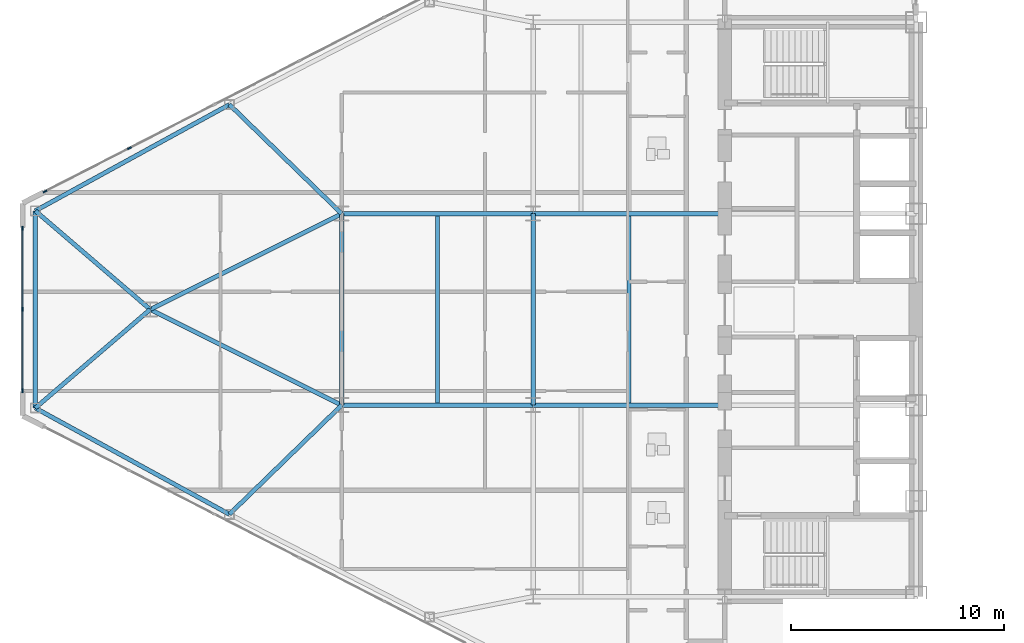
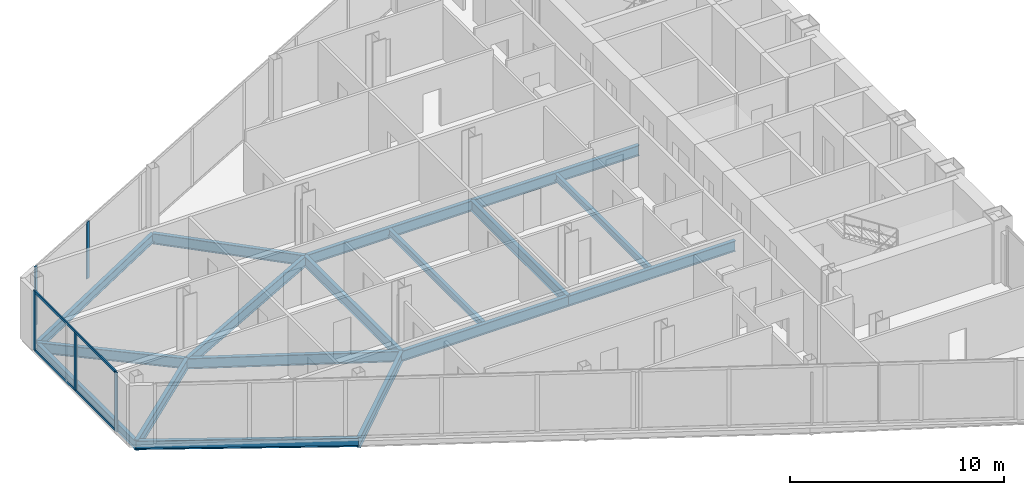
# One storey, part 4 of 24: 17 beams, 7 members, 2 elements without a shape of their own.
"""IFC4 building model written with IfcOpenShell, lengths in metres."""

from ifc_helpers import new_model, si_unit, direction, frame, origin, origin_2d, place, context, subcontext, project, spatial, rectangle, i_section, extrude, source, transform, mapped, material, layer, layer_set, material_profile, profile_set, type_object, type_shapes, element, aggregate, save


model = new_model("IFC4")

# Units and contexts
model_context = context("Model", 3, precision=1e-05, world=origin(), true_north=direction((0.0, 1.0)))
body_context = subcontext(model_context, "Body", "Model", "MODEL_VIEW")
ifc_project = project(units=[si_unit("LENGTHUNIT", "METRE"), si_unit("AREAUNIT", "SQUARE_METRE"), si_unit("VOLUMEUNIT", "CUBIC_METRE"), si_unit("PLANEANGLEUNIT", "RADIAN"), si_unit("MASSUNIT", "GRAM", prefix="KILO")], contexts=[model_context])

# Site, building, storey
site_placement = place(None, origin())
site = spatial("IfcSite", under=ifc_project, at=site_placement, CompositionType="ELEMENT")
building_placement = place(site_placement, origin())
building = spatial("IfcBuilding", under=site, at=building_placement, Name="Seokmaru Belvedere", CompositionType="ELEMENT")
storey_placement = place(building_placement, frame((0.0, 0.0, 114.0)))
storey = spatial("IfcBuildingStorey", under=building, at=storey_placement, Name="L30", CompositionType="ELEMENT", Elevation=114.0)

# Beams
ifc_material_1 = material(Name="Steel SM355 (355 MPa)", Category="steel")
ifc_material_profile_1 = material_profile(ifc_material_1, i_section(OverallWidth=0.199951171875, OverallDepth=0.60009765625, WebThickness=0.010986328125, FlangeThickness=0.01708984375, at=origin_2d()), Name="H-600x200x11x17")
ifc_profile_set_1 = profile_set([ifc_material_profile_1], Name="Steel SM355 (355 MPa)")
beam_type_1 = type_object("IfcBeamType", Name="Primary Floor Girder H-600", PredefinedType="BEAM", material=ifc_profile_set_1)
shared_shape_1 = source(origin(), body_context, "Body", "SweptSolid", [
    extrude(i_section(OverallWidth=0.199951171875, OverallDepth=0.60009765625, WebThickness=0.010986328125, FlangeThickness=0.01708984375, at=origin_2d()), origin(), (0.0, 0.0, 1.0), 9.0),
])
for number, where, z_axis, x_axis, name in (
    (1, (-45.5, -4.5, -0.52001953125), (0.0, 1.0, 0.0), (-1.0, 0.0, 0.0), "L30 W Interior Grid Girder 2"),
    (2, (-45.5, -4.5, -0.52001953125), (1.0, 0.0, 0.0), (0.0, 1.0, 0.0), "L30 W Wing Primary Girder 2"),
    (3, (-45.5, 4.5, -0.52001953125), (1.0, 0.0, 0.0), (0.0, 1.0, 0.0), "L30 W Wing Primary Girder 3"),
    (4, (-54.5, -4.5, -0.52001953125), (1.0, 0.0, 0.0), (0.0, 1.0, 0.0), "L30 W Outer Wing Girder 1"),
    (5, (-54.5, 4.5, -0.52001953125), (1.0, 0.0, 0.0), (0.0, 1.0, 0.0), "L30 W Outer Wing Girder 2"),
    (6, (-54.5, -4.5, -0.52001953125), (0.0, 1.0, 0.0), (-1.0, 0.0, 0.0), "L30 W Apex Frame Girder"),
):
    element("IfcBeam", number, at=place(storey_placement, frame(where, z_axis=z_axis, x_axis=x_axis)), inside=storey, type_object=beam_type_1, Name=name, PredefinedType="BEAM", context=body_context, shape_type="MappedRepresentation", body=[
        mapped(shared_shape_1, transform((0.0, 0.0, 0.0), scale=1.0)),
    ])
shared_shape_2 = source(origin(), body_context, "Body", "SweptSolid", [
    extrude(i_section(OverallWidth=0.199951171875, OverallDepth=0.60009765625, WebThickness=0.010986328125, FlangeThickness=0.01708984375, at=origin_2d()), origin(), (0.0, 0.0, 1.0), 10.062255859375),
])
for number, where, z_axis, x_axis, name in (
    (7, (-54.5, -4.5, -0.52001953125), (-0.894427191, 0.4472135955, 0.0), (-0.4472135955, -0.894427191, 0.0), "L30 W Apex Converging Girder 1"),
    (8, (-54.5, 4.5, -0.52001953125), (-0.894427191, -0.4472135955, 0.0), (0.4472135955, -0.894427191, 0.0), "L30 W Apex Converging Girder 2"),
):
    element("IfcBeam", number, at=place(storey_placement, frame(where, z_axis=z_axis, x_axis=x_axis)), inside=storey, type_object=beam_type_1, Name=name, PredefinedType="BEAM", context=body_context, shape_type="MappedRepresentation", body=[
        mapped(shared_shape_2, transform((0.0, 0.0, 0.0), scale=1.0)),
    ])
ifc_material_profile_2 = material_profile(ifc_material_1, i_section(OverallWidth=0.18505859375, OverallDepth=0.389892578125, WebThickness=0.008056640625, FlangeThickness=0.011962890625, at=origin_2d()), Name="H-390x185x8x12")
ifc_profile_set_2 = profile_set([ifc_material_profile_2], Name="Steel SM355 (355 MPa)")
beam_type_2 = type_object("IfcBeamType", Name="Secondary Floor Joist H-350", PredefinedType="JOIST", material=ifc_profile_set_2)
shared_shape_3 = source(origin(), body_context, "Body", "SweptSolid", [
    extrude(i_section(OverallWidth=0.18505859375, OverallDepth=0.389892578125, WebThickness=0.008056640625, FlangeThickness=0.011962890625, at=origin_2d()), origin(), (0.0, 0.0, 1.0), 8.7900390625),
])
type_shapes(beam_type_2, [shared_shape_3])
for number, where, z_axis, x_axis, name in (
    (9, (-41.0, -4.39501953125, -0.4150390625), (0.0, 1.0, 0.0), (-1.0, 0.0, 0.0), "L30 W Secondary Floor Joist 2"),
    (10, (-50.0, -4.39501953125, -0.4150390625), (0.0, 1.0, 0.0), (-1.0, 0.0, 0.0), "L30 W Outer Bay Secondary Joist"),
):
    element("IfcBeam", number, at=place(storey_placement, frame(where, z_axis=z_axis, x_axis=x_axis)), inside=storey, type_object=beam_type_2, Name=name, PredefinedType="JOIST", context=body_context, shape_type="MappedRepresentation", body=[
        mapped(shared_shape_3, transform((0.0, 0.0, 0.0), scale=1.0)),
    ])
ifc_material_profile_3 = material_profile(ifc_material_1, i_section(OverallWidth=0.199951171875, OverallDepth=0.5, WebThickness=0.010009765625, FlangeThickness=0.01611328125, at=origin_2d()), Name="H-500x200x10x16")
ifc_profile_set_3 = profile_set([ifc_material_profile_3], Name="Steel SM355 (355 MPa)")
beam_type_3 = type_object("IfcBeamType", Name="Perimeter Spandrel Beam H-500", PredefinedType="SPANDREL", material=ifc_profile_set_3)
shared_shape_4 = source(origin(), body_context, "Body", "SweptSolid", [
    extrude(i_section(OverallWidth=0.199951171875, OverallDepth=0.5, WebThickness=0.010009765625, FlangeThickness=0.01611328125, at=origin_2d()), origin(), (0.0, 0.0, 1.0), 10.399658203125),
])
for number, where, z_axis, x_axis, name in (
    (11, (-59.778564453125, -9.62890625, -0.469970703125), (-0.877082374422, 0.480339992587, 0.0), (-0.480339992587, -0.877082374422, 0.0), "L30 W Faceted Flank Spandrel S-4"),
    (12, (-59.778564453125, 9.62890625, -0.469970703125), (-0.877082374422, -0.480339992587, 0.0), (0.480339992587, -0.877082374422, 0.0), "L30 W Faceted Flank Spandrel N-4"),
):
    element("IfcBeam", number, at=place(storey_placement, frame(where, z_axis=z_axis, x_axis=x_axis)), inside=storey, type_object=beam_type_3, Name=name, PredefinedType="SPANDREL", context=body_context, shape_type="MappedRepresentation", body=[
        mapped(shared_shape_4, transform((0.0, 0.0, 0.0), scale=1.0)),
    ])
shared_shape_5 = source(origin(), body_context, "Body", "SweptSolid", [
    extrude(i_section(OverallWidth=0.199951171875, OverallDepth=0.5, WebThickness=0.010009765625, FlangeThickness=0.01611328125, at=origin_2d()), origin(), (0.0, 0.0, 1.0), 9.26708984375),
])
type_shapes(beam_type_3, [shared_shape_4, shared_shape_5])
beam_placement = place(storey_placement, frame((-68.89990234375, -4.633544921875, -0.469970703125), z_axis=(0.0, 1.0, 0.0), x_axis=(-1.0, 0.0, 0.0)))
element("IfcBeam", 13, at=beam_placement, inside=storey, type_object=beam_type_3, Name="L30 W Faceted Apex Spandrel", PredefinedType="SPANDREL", context=body_context, shape_type="MappedRepresentation", body=[
    mapped(shared_shape_5, transform((0.0, 0.0, 0.0), scale=1.0)),
])
shared_shape_6 = source(origin(), body_context, "Body", "SweptSolid", [
    extrude(i_section(OverallWidth=0.199951171875, OverallDepth=0.60009765625, WebThickness=0.010986328125, FlangeThickness=0.01708984375, at=origin_2d()), origin(), (0.0, 0.0, 1.0), 7.35986328125),
])
for number, where, z_axis, x_axis, name in (
    (14, (-59.778564453125, -9.62890625, -0.52001953125), (0.717200745515, 0.696866623273, 0.0), (-0.696866623273, 0.717200745515, 0.0), "L30 W Flank Radial Floor Girder S-3"),
    (15, (-59.778564453125, 9.62890625, -0.52001953125), (0.717200745515, -0.696866623273, 0.0), (0.696866623273, 0.717200745515, 0.0), "L30 W Flank Radial Floor Girder N-3"),
):
    element("IfcBeam", number, at=place(storey_placement, frame(where, z_axis=z_axis, x_axis=x_axis)), inside=storey, type_object=beam_type_1, Name=name, PredefinedType="BEAM", context=body_context, shape_type="MappedRepresentation", body=[
        mapped(shared_shape_6, transform((0.0, 0.0, 0.0), scale=1.0)),
    ])
shared_shape_7 = source(origin(), body_context, "Body", "SweptSolid", [
    extrude(i_section(OverallWidth=0.199951171875, OverallDepth=0.60009765625, WebThickness=0.010986328125, FlangeThickness=0.01708984375, at=origin_2d()), origin(), (0.0, 0.0, 1.0), 7.115478515625),
])
type_shapes(beam_type_1, [shared_shape_1, shared_shape_2, shared_shape_6, shared_shape_7])
for number, where, z_axis, x_axis, name in (
    (16, (-68.89990234375, -4.633544921875, -0.52001953125), (0.758905301881, 0.651201000289, 0.0), (-0.651201000289, 0.758905301881, 0.0), "L30 W Apex Radial Floor Girder 1"),
    (17, (-68.89990234375, 4.633544921875, -0.52001953125), (0.758905301881, -0.651201000289, 0.0), (0.651201000289, 0.758905301881, 0.0), "L30 W Apex Radial Floor Girder 2"),
):
    element("IfcBeam", number, at=place(storey_placement, frame(where, z_axis=z_axis, x_axis=x_axis)), inside=storey, type_object=beam_type_1, Name=name, PredefinedType="BEAM", context=body_context, shape_type="MappedRepresentation", body=[
        mapped(shared_shape_7, transform((0.0, 0.0, 0.0), scale=1.0)),
    ])

# Curtain wall, member
ifc_material_2 = material(Name="Bronze Triple Insulating Glass", Category="glass")
ifc_layer = layer(ifc_material_2, 0.195068359375)
ifc_layer_set = layer_set([ifc_layer], Name="Bronze Triple Insulating Glass")
curtain_wall_type = type_object("IfcCurtainWallType", Name="Sky-Lobby and Mid-Rise Curtain Wall System CW-4", PredefinedType="NOTDEFINED", material=ifc_layer_set)
curtain_wall_1_placement = place(storey_placement, origin())
curtain_wall_1 = element("IfcCurtainWall", 18, at=curtain_wall_1_placement, inside=storey, type_object=curtain_wall_type, Name="L30 Curtain Wall WF3", PredefinedType="NOTDEFINED")
ifc_material_3 = material(Name="Anodised Bronze Aluminium", Category="aluminium")
ifc_material_profile_4 = material_profile(ifc_material_3, rectangle(XDim=0.070068359375, YDim=0.195068359375, at=origin_2d()), Name="CW-M-70x195")
ifc_profile_set_4 = profile_set([ifc_material_profile_4], Name="Anodised Bronze Aluminium")
member_type_1 = type_object("IfcMemberType", Name="Bronze Unitised Mullion 70x195", PredefinedType="MULLION", material=ifc_profile_set_4)
shared_shape_8 = source(origin(), body_context, "Body", "SweptSolid", [
    extrude(rectangle(XDim=0.070068359375, YDim=0.195068359375, at=origin_2d()), origin(), (0.0, 0.0, 1.0), 3.3798828125),
])
member_1_placement = place(storey_placement, frame((-68.44580078125, 5.541015625, 0.0), z_axis=(0.0, 0.0, 1.0), x_axis=(0.456554528263, -0.889695432562, 0.0)))
member_1 = element("IfcMember", 19, at=member_1_placement, type_object=member_type_1, Name="CW:L30:WF3 Mullion 10", PredefinedType="MULLION", context=body_context, shape_type="MappedRepresentation", body=[
    mapped(shared_shape_8, transform((0.0, 0.0, 0.0), scale=1.0)),
])

# Curtain wall, members
curtain_wall_2_placement = place(storey_placement, origin())
curtain_wall_2 = element("IfcCurtainWall", 20, at=curtain_wall_2_placement, inside=storey, type_object=curtain_wall_type, Name="L30 Curtain Wall WF4", PredefinedType="NOTDEFINED")
member_2_placement = place(storey_placement, frame((-69.5, 3.81494140625, 0.0), z_axis=(0.0, 0.0, 1.0), x_axis=(1.0, 0.0, 0.0)))
member_2 = element("IfcMember", 21, at=member_2_placement, type_object=member_type_1, Name="CW:L30:WF4 Mullion 1", PredefinedType="MULLION", context=body_context, shape_type="MappedRepresentation", body=[
    mapped(shared_shape_8, transform((0.0, 0.0, 0.0), scale=1.0)),
])
member_3_placement = place(storey_placement, frame((-69.5, -3.81494140625, 0.0), z_axis=(0.0, 0.0, 1.0), x_axis=(1.0, 0.0, 0.0)))
member_3 = element("IfcMember", 22, at=member_3_placement, type_object=member_type_1, Name="CW:L30:WF4 Mullion 3", PredefinedType="MULLION", context=body_context, shape_type="MappedRepresentation", body=[
    mapped(shared_shape_8, transform((0.0, 0.0, 0.0), scale=1.0)),
])

# Member
shared_shape_9 = source(origin(), body_context, "Body", "SweptSolid", [
    extrude(rectangle(XDim=0.070068359375, YDim=0.195068359375, at=origin_2d()), origin(), (0.0, 0.0, 1.0), 3.25),
])
type_shapes(member_type_1, [shared_shape_8, shared_shape_9])
member_4_placement = place(storey_placement, frame((-64.48193359375, 7.574951171875, 0.06494140625), z_axis=(0.0, 0.0, 1.0), x_axis=(0.456554528263, -0.889695432562, 0.0)))
member_4 = element("IfcMember", 23, at=member_4_placement, type_object=member_type_1, Name="CW:L30:WF3 Mullion 9", PredefinedType="MULLION", context=body_context, shape_type="MappedRepresentation", body=[
    mapped(shared_shape_9, transform((0.0, 0.0, 0.0), scale=1.0)),
])

aggregate(curtain_wall_1, [member_4, member_1])

member_5_placement = place(storey_placement, frame((-69.5, 0.0, 0.06494140625), z_axis=(0.0, 0.0, 1.0), x_axis=(1.0, 0.0, 0.0)))
member_5 = element("IfcMember", 24, at=member_5_placement, type_object=member_type_1, Name="CW:L30:WF4 Mullion 2", PredefinedType="MULLION", context=body_context, shape_type="MappedRepresentation", body=[
    mapped(shared_shape_9, transform((0.0, 0.0, 0.0), scale=1.0)),
])

ifc_material_profile_5 = material_profile(ifc_material_3, rectangle(XDim=0.06494140625, YDim=0.14990234375, at=origin_2d()), Name="CW-T-65x150")
ifc_profile_set_5 = profile_set([ifc_material_profile_5], Name="Anodised Bronze Aluminium")
member_type_2 = type_object("IfcMemberType", Name="Bronze Unitised Transom 65x150", PredefinedType="USERDEFINED", material=ifc_profile_set_5)
shared_shape_10 = source(origin(), body_context, "Body", "SweptSolid", [
    extrude(rectangle(XDim=0.06494140625, YDim=0.14990234375, at=origin_2d()), origin(), (0.0, 0.0, 1.0), 7.56005859375),
])
type_shapes(member_type_2, [shared_shape_10])
member_6_placement = place(storey_placement, frame((-69.5, 3.780029296875, 0.032470703125), z_axis=(0.0, -1.0, 0.0), x_axis=(1.0, 0.0, 0.0)))
member_6 = element("IfcMember", 25, at=member_6_placement, type_object=member_type_2, Name="CW:L30:WF4 Continuous Transom 1", ObjectType="TRANSOM", PredefinedType="USERDEFINED", context=body_context, shape_type="MappedRepresentation", body=[
    mapped(shared_shape_10, transform((0.0, 0.0, 0.0), scale=1.0)),
])

member_7_placement = place(storey_placement, frame((-69.5, 3.780029296875, 3.347412109375), z_axis=(0.0, -1.0, 0.0), x_axis=(1.0, 0.0, 0.0)))
member_7 = element("IfcMember", 26, at=member_7_placement, type_object=member_type_2, Name="CW:L30:WF4 Continuous Transom 2", ObjectType="TRANSOM", PredefinedType="USERDEFINED", context=body_context, shape_type="MappedRepresentation", body=[
    mapped(shared_shape_10, transform((0.0, 0.0, 0.0), scale=1.0)),
])

aggregate(curtain_wall_2, [member_2, member_5, member_3, member_6, member_7])

save(model, "model.ifc")
